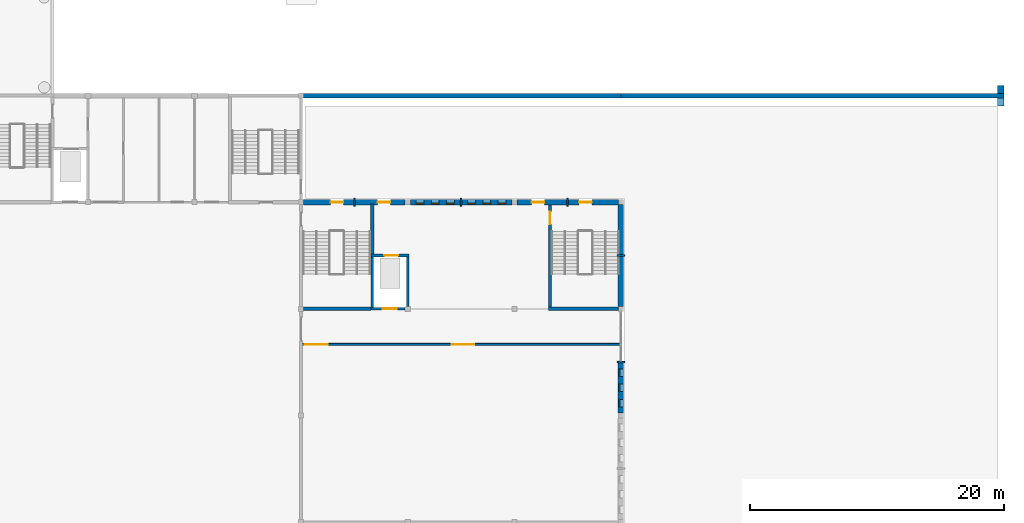
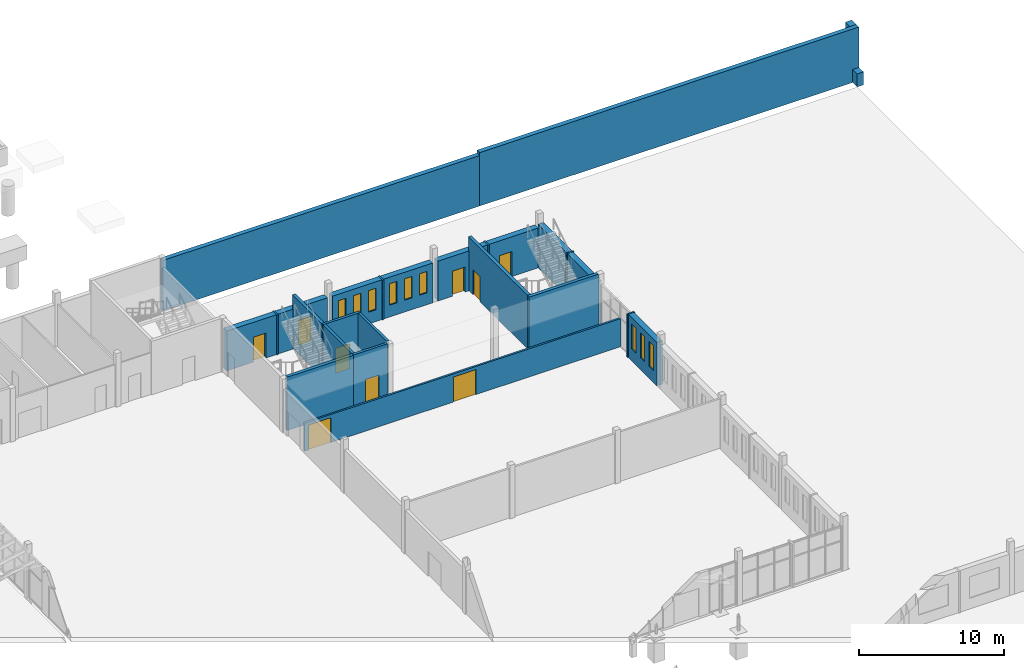
# One storey, part 48 of 60: 27 walls, 9 doors, 9 windows, 18 openings.
"""IFC4 building model written with IfcOpenShell, lengths in metres."""

from ifc_helpers import new_model, si_unit, direction, frame, frame_2d, origin, place, context, subcontext, project, spatial, rectangle, extrude, material, layer, layer_set, type_object, element, fill, save


model = new_model("IFC4")

# Units and contexts
model_context = context("Model", 3, precision=1e-05, world=origin(), true_north=direction((0.0, 1.0)))
body_context = subcontext(model_context, "Body", "Model", "MODEL_VIEW")
ifc_project = project(units=[si_unit("LENGTHUNIT", "METRE"), si_unit("AREAUNIT", "SQUARE_METRE"), si_unit("VOLUMEUNIT", "CUBIC_METRE"), si_unit("PLANEANGLEUNIT", "RADIAN"), si_unit("MASSUNIT", "GRAM", prefix="KILO")], contexts=[model_context])

# Site, building, storey
site_placement = place(None, origin())
site = spatial("IfcSite", under=ifc_project, at=site_placement, CompositionType="ELEMENT")
building_placement = place(site_placement, origin())
building = spatial("IfcBuilding", under=site, at=building_placement, Name="Fescue Hill Polytechnic", CompositionType="ELEMENT")
storey_placement = place(building_placement, frame((0.0, 0.0, 4.5)))
storey = spatial("IfcBuildingStorey", under=building, at=storey_placement, Name="L01", CompositionType="ELEMENT", Elevation=4.5)

# Walls
ifc_material_1 = material(Name="Concrete 40 MPa", Category="concrete")
ifc_layer_1 = layer(ifc_material_1, 0.25)
ifc_layer_set_1 = layer_set([ifc_layer_1], Name="Concrete 40 MPa")
wall_type_1 = type_object("IfcWallType", Name="Core wall 250", PredefinedType="SHEAR", material=ifc_layer_set_1)
wall_1_placement = place(storey_placement, frame((117.800048828125, 92.39990234375, 0.0), z_axis=(0.0, 0.0, 1.0), x_axis=(1.0, 0.0, 0.0)))
element("IfcWall", 1, at=wall_1_placement, inside=storey, type_object=wall_type_1, Name="CW-L01-ST-V2-1-11", PredefinedType="SHEAR", context=body_context, shape_type="SweptSolid", body=[
    extrude(rectangle(XDim=5.300048828125, YDim=0.25, at=frame_2d((2.64990234375, 0.0))), origin(), (0.0, 0.0, 1.0), 4.5),
])
wall_2_placement = place(storey_placement, frame((123.199951171875, 96.610107421875, 0.0), z_axis=(0.0, 0.0, 1.0), x_axis=(0.0, 1.0, 0.0)))
element("IfcWall", 2, at=wall_2_placement, inside=storey, type_object=wall_type_1, Name="CW-L01-ST-V2-1-41", PredefinedType="SHEAR", context=body_context, shape_type="SweptSolid", body=[
    extrude(rectangle(XDim=4.06494140625, YDim=0.25, at=frame_2d((2.032470703125, 0.0))), origin(), (0.0, 0.0, 1.0), 4.5),
])
wall_3_placement = place(storey_placement, frame((137.074951171875, 92.39990234375, 0.0), z_axis=(0.0, 0.0, 1.0), x_axis=(1.0, 0.0, 0.0)))
element("IfcWall", 3, at=wall_3_placement, inside=storey, type_object=wall_type_1, Name="CW-L01-ST-V2-2-11", PredefinedType="SHEAR", context=body_context, shape_type="SweptSolid", body=[
    extrude(rectangle(XDim=5.525146484375, YDim=0.25, at=frame_2d((2.7626953125, 0.0))), origin(), (0.0, 0.0, 1.0), 4.5),
])

# Wall, opening, door
wall_4_placement = place(storey_placement, frame((137.199951171875, 92.52490234375, 0.0), z_axis=(0.0, 0.0, 1.0), x_axis=(0.0, 1.0, 0.0)))
wall_4 = element("IfcWall", 4, at=wall_4_placement, inside=storey, type_object=wall_type_1, Name="CW-L01-ST-V2-2-31", PredefinedType="SHEAR", context=body_context, shape_type="SweptSolid", body=[
    extrude(rectangle(XDim=8.150146484375, YDim=0.25, at=frame_2d((4.0751953125, 0.0))), origin(), (0.0, 0.0, 1.0), 4.5),
])
opening_1_placement = place(wall_4_placement, frame((6.52490234375, 0.0, 0.0)))
opening_1 = element("IfcOpeningElement", 5, at=opening_1_placement, cuts=wall_4, Name="Opening D1090", PredefinedType="OPENING", context=body_context, shape_type="SweptSolid", body=[
    extrude(rectangle(XDim=1.0, YDim=2.10009765625, at=frame_2d((0.5, 1.050048828125))), frame((0.0, 0.135009765625, 0.0), z_axis=(0.0, -1.0, 0.0), x_axis=(1.0, 0.0, 0.0)), (0.0, 0.0, 1.0), 0.27001953125),
])
ifc_material_2 = material(Name="Steel fire door", Category="steel")
door_type_1 = type_object("IfcDoorType", Name="Door single swing 1000x2100 stair fire rated", OperationType="NOTDEFINED", PredefinedType="DOOR", material=ifc_material_2)
door_1_placement = place(opening_1_placement, origin())
door_1 = element("IfcDoor", 6, at=door_1_placement, inside=storey, type_object=door_type_1, Name="L01 ST-V2-2 stair door", OperationType="SINGLE_SWING_LEFT", OverallHeight=2.10009765625, OverallWidth=1.0, PredefinedType="DOOR", context=body_context, shape_type="SweptSolid", body=[
    extrude(rectangle(XDim=1.0, YDim=2.10009765625, at=frame_2d((0.5, 1.050048828125))), frame((0.0, 0.02490234375, 0.0), z_axis=(0.0, -1.0, 0.0), x_axis=(1.0, 0.0, 0.0)), (0.0, 0.0, 1.0), 0.050048828125),
])
fill(opening_1, door_1)

# Wall, openings, windows
ifc_layer_2 = layer(ifc_material_1, 0.449951171875)
ifc_layer_set_2 = layer_set([ifc_layer_2], Name="Concrete 40 MPa")
wall_type_2 = type_object("IfcWallType", Name="Exterior wall board-marked concrete 450", PredefinedType="SOLIDWALL", material=ifc_layer_set_2)
wall_5_placement = place(storey_placement, frame((142.800048828125, 84.199951171875, 0.0), z_axis=(0.0, 0.0, 1.0), x_axis=(0.0, 1.0, 0.0)))
wall_5 = element("IfcWall", 7, at=wall_5_placement, inside=storey, type_object=wall_type_2, Name="EW-L01-V2-7", PredefinedType="SOLIDWALL", context=body_context, shape_type="SweptSolid", body=[
    extrude(rectangle(XDim=3.93994140625, YDim=0.449951171875, at=frame_2d((1.969970703125, 0.0))), origin(), (0.0, 0.0, 1.0), 3.64990234375),
])
opening_2_placement = place(wall_5_placement, frame((0.469970703125, 0.0, 1.0)))
opening_2 = element("IfcOpeningElement", 8, at=opening_2_placement, cuts=wall_5, Name="Opening W6", PredefinedType="OPENING", context=body_context, shape_type="SweptSolid", body=[
    extrude(rectangle(XDim=0.60009765625, YDim=2.10009765625, at=frame_2d((0.300048828125, 1.050048828125))), frame((0.0, 0.23486328125, 0.0), z_axis=(0.0, -1.0, 0.0), x_axis=(1.0, 0.0, 0.0)), (0.0, 0.0, 1.0), 0.469970703125),
])
opening_3_placement = place(wall_5_placement, frame((1.669921875, 0.0, 1.0)))
opening_3 = element("IfcOpeningElement", 9, at=opening_3_placement, cuts=wall_5, Name="Opening W6", PredefinedType="OPENING", context=body_context, shape_type="SweptSolid", body=[
    extrude(rectangle(XDim=0.60009765625, YDim=2.10009765625, at=frame_2d((0.300048828125, 1.050048828125))), frame((0.0, 0.23486328125, 0.0), z_axis=(0.0, -1.0, 0.0), x_axis=(1.0, 0.0, 0.0)), (0.0, 0.0, 1.0), 0.469970703125),
])
opening_4_placement = place(wall_5_placement, frame((2.8701171875, 0.0, 1.0)))
opening_4 = element("IfcOpeningElement", 10, at=opening_4_placement, cuts=wall_5, Name="Opening W6", PredefinedType="OPENING", context=body_context, shape_type="SweptSolid", body=[
    extrude(rectangle(XDim=0.60009765625, YDim=2.10009765625, at=frame_2d((0.300048828125, 1.050048828125))), frame((0.0, 0.23486328125, 0.0), z_axis=(0.0, -1.0, 0.0), x_axis=(1.0, 0.0, 0.0)), (0.0, 0.0, 1.0), 0.469970703125),
])
ifc_material_3 = material(Name="Powder-coated aluminium and glass", Category="aluminium")
window_type_1 = type_object("IfcWindowType", Name="Window slot 600x2100", PartitioningType="SINGLE_PANEL", PredefinedType="WINDOW", material=ifc_material_3)
window_1_placement = place(opening_2_placement, origin())
window_1 = element("IfcWindow", 11, at=window_1_placement, inside=storey, type_object=window_type_1, Name="WN-L01-V2-19", OverallHeight=2.10009765625, OverallWidth=0.60009765625, PartitioningType="SINGLE_PANEL", PredefinedType="WINDOW", context=body_context, shape_type="SweptSolid", body=[
    extrude(rectangle(XDim=0.60009765625, YDim=2.10009765625, at=frame_2d((0.300048828125, 1.050048828125))), frame((0.0, 0.135009765625, 0.0), z_axis=(0.0, -1.0, 0.0), x_axis=(1.0, 0.0, 0.0)), (0.0, 0.0, 1.0), 0.06005859375),
])
fill(opening_2, window_1)
window_2_placement = place(opening_3_placement, origin())
window_2 = element("IfcWindow", 12, at=window_2_placement, inside=storey, type_object=window_type_1, Name="WN-L01-V2-20", OverallHeight=2.10009765625, OverallWidth=0.60009765625, PartitioningType="SINGLE_PANEL", PredefinedType="WINDOW", context=body_context, shape_type="SweptSolid", body=[
    extrude(rectangle(XDim=0.60009765625, YDim=2.10009765625, at=frame_2d((0.300048828125, 1.050048828125))), frame((0.0, 0.135009765625, 0.0), z_axis=(0.0, -1.0, 0.0), x_axis=(1.0, 0.0, 0.0)), (0.0, 0.0, 1.0), 0.06005859375),
])
fill(opening_3, window_2)
window_3_placement = place(opening_4_placement, origin())
window_3 = element("IfcWindow", 13, at=window_3_placement, inside=storey, type_object=window_type_1, Name="WN-L01-V2-21", OverallHeight=2.10009765625, OverallWidth=0.60009765625, PartitioningType="SINGLE_PANEL", PredefinedType="WINDOW", context=body_context, shape_type="SweptSolid", body=[
    extrude(rectangle(XDim=0.60009765625, YDim=2.10009765625, at=frame_2d((0.300048828125, 1.050048828125))), frame((0.0, 0.135009765625, 0.0), z_axis=(0.0, -1.0, 0.0), x_axis=(1.0, 0.0, 0.0)), (0.0, 0.0, 1.0), 0.06005859375),
])
fill(opening_4, window_3)

wall_6_placement = place(storey_placement, frame((134.199951171875, 100.800048828125, 0.0), z_axis=(0.0, 0.0, 1.0), x_axis=(-1.0, 0.0, 0.0)))
wall_6 = element("IfcWall", 14, at=wall_6_placement, inside=storey, type_object=wall_type_2, Name="EW-L01-V2-13", PredefinedType="SOLIDWALL", context=body_context, shape_type="SweptSolid", body=[
    extrude(rectangle(XDim=3.93994140625, YDim=0.449951171875, at=frame_2d((1.969970703125, 0.0))), origin(), (0.0, 0.0, 1.0), 3.35009765625),
])
opening_5_placement = place(wall_6_placement, frame((0.469970703125, 0.0, 1.0)))
opening_5 = element("IfcOpeningElement", 15, at=opening_5_placement, cuts=wall_6, Name="Opening W6R", PredefinedType="OPENING", context=body_context, shape_type="SweptSolid", body=[
    extrude(rectangle(XDim=0.60009765625, YDim=1.800048828125, at=frame_2d((0.300048828125, 0.89990234375))), frame((0.0, 0.23486328125, 0.0), z_axis=(0.0, -1.0, 0.0), x_axis=(1.0, 0.0, 0.0)), (0.0, 0.0, 1.0), 0.469970703125),
])
opening_6_placement = place(wall_6_placement, frame((1.669921875, 0.0, 1.0)))
opening_6 = element("IfcOpeningElement", 16, at=opening_6_placement, cuts=wall_6, Name="Opening W6R", PredefinedType="OPENING", context=body_context, shape_type="SweptSolid", body=[
    extrude(rectangle(XDim=0.60009765625, YDim=1.800048828125, at=frame_2d((0.300048828125, 0.89990234375))), frame((0.0, 0.23486328125, 0.0), z_axis=(0.0, -1.0, 0.0), x_axis=(1.0, 0.0, 0.0)), (0.0, 0.0, 1.0), 0.469970703125),
])
opening_7_placement = place(wall_6_placement, frame((2.8701171875, 0.0, 1.0)))
opening_7 = element("IfcOpeningElement", 17, at=opening_7_placement, cuts=wall_6, Name="Opening W6R", PredefinedType="OPENING", context=body_context, shape_type="SweptSolid", body=[
    extrude(rectangle(XDim=0.60009765625, YDim=1.800048828125, at=frame_2d((0.300048828125, 0.89990234375))), frame((0.0, 0.23486328125, 0.0), z_axis=(0.0, -1.0, 0.0), x_axis=(1.0, 0.0, 0.0)), (0.0, 0.0, 1.0), 0.469970703125),
])
window_type_2 = type_object("IfcWindowType", Name="Window slot 600x1800", PartitioningType="SINGLE_PANEL", PredefinedType="WINDOW", material=ifc_material_3)
window_4_placement = place(opening_5_placement, origin())
window_4 = element("IfcWindow", 18, at=window_4_placement, inside=storey, type_object=window_type_2, Name="WN-L01-V2-22", OverallHeight=1.800048828125, OverallWidth=0.60009765625, PartitioningType="SINGLE_PANEL", PredefinedType="WINDOW", context=body_context, shape_type="SweptSolid", body=[
    extrude(rectangle(XDim=0.60009765625, YDim=1.800048828125, at=frame_2d((0.300048828125, 0.89990234375))), frame((0.0, 0.135009765625, 0.0), z_axis=(0.0, -1.0, 0.0), x_axis=(1.0, 0.0, 0.0)), (0.0, 0.0, 1.0), 0.06005859375),
])
fill(opening_5, window_4)
window_5_placement = place(opening_6_placement, origin())
window_5 = element("IfcWindow", 19, at=window_5_placement, inside=storey, type_object=window_type_2, Name="WN-L01-V2-23", OverallHeight=1.800048828125, OverallWidth=0.60009765625, PartitioningType="SINGLE_PANEL", PredefinedType="WINDOW", context=body_context, shape_type="SweptSolid", body=[
    extrude(rectangle(XDim=0.60009765625, YDim=1.800048828125, at=frame_2d((0.300048828125, 0.89990234375))), frame((0.0, 0.135009765625, 0.0), z_axis=(0.0, -1.0, 0.0), x_axis=(1.0, 0.0, 0.0)), (0.0, 0.0, 1.0), 0.06005859375),
])
fill(opening_6, window_5)
window_6_placement = place(opening_7_placement, origin())
window_6 = element("IfcWindow", 20, at=window_6_placement, inside=storey, type_object=window_type_2, Name="WN-L01-V2-24", OverallHeight=1.800048828125, OverallWidth=0.60009765625, PartitioningType="SINGLE_PANEL", PredefinedType="WINDOW", context=body_context, shape_type="SweptSolid", body=[
    extrude(rectangle(XDim=0.60009765625, YDim=1.800048828125, at=frame_2d((0.300048828125, 0.89990234375))), frame((0.0, 0.135009765625, 0.0), z_axis=(0.0, -1.0, 0.0), x_axis=(1.0, 0.0, 0.0)), (0.0, 0.0, 1.0), 0.06005859375),
])
fill(opening_7, window_6)

wall_7_placement = place(storey_placement, frame((130.139892578125, 100.800048828125, 0.0), z_axis=(0.0, 0.0, 1.0), x_axis=(-1.0, 0.0, 0.0)))
wall_7 = element("IfcWall", 21, at=wall_7_placement, inside=storey, type_object=wall_type_2, Name="EW-L01-V2-14", PredefinedType="SOLIDWALL", context=body_context, shape_type="SweptSolid", body=[
    extrude(rectangle(XDim=3.93994140625, YDim=0.449951171875, at=frame_2d((1.969970703125, 0.0))), origin(), (0.0, 0.0, 1.0), 3.35009765625),
])
opening_8_placement = place(wall_7_placement, frame((0.469970703125, 0.0, 1.0)))
opening_8 = element("IfcOpeningElement", 22, at=opening_8_placement, cuts=wall_7, Name="Opening W6R", PredefinedType="OPENING", context=body_context, shape_type="SweptSolid", body=[
    extrude(rectangle(XDim=0.60009765625, YDim=1.800048828125, at=frame_2d((0.300048828125, 0.89990234375))), frame((0.0, 0.23486328125, 0.0), z_axis=(0.0, -1.0, 0.0), x_axis=(1.0, 0.0, 0.0)), (0.0, 0.0, 1.0), 0.469970703125),
])
opening_9_placement = place(wall_7_placement, frame((1.669921875, 0.0, 1.0)))
opening_9 = element("IfcOpeningElement", 23, at=opening_9_placement, cuts=wall_7, Name="Opening W6R", PredefinedType="OPENING", context=body_context, shape_type="SweptSolid", body=[
    extrude(rectangle(XDim=0.60009765625, YDim=1.800048828125, at=frame_2d((0.300048828125, 0.89990234375))), frame((0.0, 0.23486328125, 0.0), z_axis=(0.0, -1.0, 0.0), x_axis=(1.0, 0.0, 0.0)), (0.0, 0.0, 1.0), 0.469970703125),
])
opening_10_placement = place(wall_7_placement, frame((2.8701171875, 0.0, 1.0)))
opening_10 = element("IfcOpeningElement", 24, at=opening_10_placement, cuts=wall_7, Name="Opening W6R", PredefinedType="OPENING", context=body_context, shape_type="SweptSolid", body=[
    extrude(rectangle(XDim=0.60009765625, YDim=1.800048828125, at=frame_2d((0.300048828125, 0.89990234375))), frame((0.0, 0.23486328125, 0.0), z_axis=(0.0, -1.0, 0.0), x_axis=(1.0, 0.0, 0.0)), (0.0, 0.0, 1.0), 0.469970703125),
])
window_7_placement = place(opening_8_placement, origin())
window_7 = element("IfcWindow", 25, at=window_7_placement, inside=storey, type_object=window_type_2, Name="WN-L01-V2-25", OverallHeight=1.800048828125, OverallWidth=0.60009765625, PartitioningType="SINGLE_PANEL", PredefinedType="WINDOW", context=body_context, shape_type="SweptSolid", body=[
    extrude(rectangle(XDim=0.60009765625, YDim=1.800048828125, at=frame_2d((0.300048828125, 0.89990234375))), frame((0.0, 0.135009765625, 0.0), z_axis=(0.0, -1.0, 0.0), x_axis=(1.0, 0.0, 0.0)), (0.0, 0.0, 1.0), 0.06005859375),
])
fill(opening_8, window_7)
window_8_placement = place(opening_9_placement, origin())
window_8 = element("IfcWindow", 26, at=window_8_placement, inside=storey, type_object=window_type_2, Name="WN-L01-V2-26", OverallHeight=1.800048828125, OverallWidth=0.60009765625, PartitioningType="SINGLE_PANEL", PredefinedType="WINDOW", context=body_context, shape_type="SweptSolid", body=[
    extrude(rectangle(XDim=0.60009765625, YDim=1.800048828125, at=frame_2d((0.300048828125, 0.89990234375))), frame((0.0, 0.135009765625, 0.0), z_axis=(0.0, -1.0, 0.0), x_axis=(1.0, 0.0, 0.0)), (0.0, 0.0, 1.0), 0.06005859375),
])
fill(opening_9, window_8)
window_9_placement = place(opening_10_placement, origin())
window_9 = element("IfcWindow", 27, at=window_9_placement, inside=storey, type_object=window_type_2, Name="WN-L01-V2-27", OverallHeight=1.800048828125, OverallWidth=0.60009765625, PartitioningType="SINGLE_PANEL", PredefinedType="WINDOW", context=body_context, shape_type="SweptSolid", body=[
    extrude(rectangle(XDim=0.60009765625, YDim=1.800048828125, at=frame_2d((0.300048828125, 0.89990234375))), frame((0.0, 0.135009765625, 0.0), z_axis=(0.0, -1.0, 0.0), x_axis=(1.0, 0.0, 0.0)), (0.0, 0.0, 1.0), 0.06005859375),
])
fill(opening_10, window_9)

# Walls
ifc_layer_3 = layer(ifc_material_1, 0.449951171875)
ifc_layer_set_3 = layer_set([ifc_layer_3], Name="Concrete 40 MPa")
wall_type_3 = type_object("IfcWallType", Name="Exterior wall board-marked concrete 450 load-bearing", PredefinedType="SOLIDWALL", material=ifc_layer_set_3)
wall_8_placement = place(storey_placement, frame((142.800048828125, 92.60009765625, 0.0), z_axis=(0.0, 0.0, 1.0), x_axis=(0.0, 1.0, 0.0)))
element("IfcWall", 28, at=wall_8_placement, inside=storey, type_object=wall_type_3, Name="EW-L01-V2-9", PredefinedType="SOLIDWALL", context=body_context, shape_type="SweptSolid", body=[
    extrude(rectangle(XDim=3.93994140625, YDim=0.449951171875, at=frame_2d((1.969970703125, 0.0))), origin(), (0.0, 0.0, 1.0), 3.64990234375),
])
wall_9_placement = place(storey_placement, frame((142.800048828125, 96.659912109375, 0.0), z_axis=(0.0, 0.0, 1.0), x_axis=(0.0, 1.0, 0.0)))
element("IfcWall", 29, at=wall_9_placement, inside=storey, type_object=wall_type_3, Name="EW-L01-V2-10", PredefinedType="SOLIDWALL", context=body_context, shape_type="SweptSolid", body=[
    extrude(rectangle(XDim=3.940185546875, YDim=0.449951171875, at=frame_2d((1.97021484375, 0.0))), origin(), (0.0, 0.0, 1.0), 3.64990234375),
])

# Wall, opening, door
wall_10_placement = place(storey_placement, frame((142.60009765625, 100.800048828125, 0.0), z_axis=(0.0, 0.0, 1.0), x_axis=(-1.0, 0.0, 0.0)))
wall_10 = element("IfcWall", 30, at=wall_10_placement, inside=storey, type_object=wall_type_3, Name="EW-L01-V2-11", PredefinedType="SOLIDWALL", context=body_context, shape_type="SweptSolid", body=[
    extrude(rectangle(XDim=3.940185546875, YDim=0.449951171875, at=frame_2d((1.97021484375, 0.0))), origin(), (0.0, 0.0, 1.0), 3.35009765625),
])
opening_11_placement = place(wall_10_placement, frame((3.090087890625, 0.0, 0.0), z_axis=(0.0, 0.0, 1.0), x_axis=(-1.0, 0.0, 0.0)))
opening_11 = element("IfcOpeningElement", 31, at=opening_11_placement, cuts=wall_10, Name="Opening D1091", PredefinedType="OPENING", context=body_context, shape_type="SweptSolid", body=[
    extrude(rectangle(XDim=1.0, YDim=2.10009765625, at=frame_2d((0.5, 1.050048828125))), frame((0.0, 0.23486328125, 0.0), z_axis=(0.0, -1.0, 0.0), x_axis=(1.0, 0.0, 0.0)), (0.0, 0.0, 1.0), 0.469970703125),
])
ifc_material_4 = material(Name="Hollow metal")
door_type_2 = type_object("IfcDoorType", Name="Door exit single 1000x2100 fire rated", OperationType="SINGLE_SWING_LEFT", PredefinedType="DOOR", material=ifc_material_4)
door_2_placement = place(opening_11_placement, origin())
door_2 = element("IfcDoor", 32, at=door_2_placement, inside=storey, type_object=door_type_2, Name="Door D1091", OperationType="SINGLE_SWING_LEFT", OverallHeight=2.10009765625, OverallWidth=1.0, PredefinedType="DOOR", context=body_context, shape_type="SweptSolid", body=[
    extrude(rectangle(XDim=1.0, YDim=2.10009765625, at=frame_2d((0.5, 1.050048828125))), frame((0.0, 0.02490234375, 0.0), z_axis=(0.0, -1.0, 0.0), x_axis=(1.0, 0.0, 0.0)), (0.0, 0.0, 1.0), 0.050048828125),
])
fill(opening_11, door_2)

wall_11_placement = place(storey_placement, frame((138.5400390625, 100.800048828125, 0.0), z_axis=(0.0, 0.0, 1.0), x_axis=(-1.0, 0.0, 0.0)))
wall_11 = element("IfcWall", 33, at=wall_11_placement, inside=storey, type_object=wall_type_3, Name="EW-L01-V2-12", PredefinedType="SOLIDWALL", context=body_context, shape_type="SweptSolid", body=[
    extrude(rectangle(XDim=3.93994140625, YDim=0.449951171875, at=frame_2d((1.969970703125, 0.0))), origin(), (0.0, 0.0, 1.0), 3.35009765625),
])
opening_12_placement = place(wall_11_placement, frame((1.77001953125, 0.0, 0.0)))
opening_12 = element("IfcOpeningElement", 34, at=opening_12_placement, cuts=wall_11, Name="Opening D1003", PredefinedType="OPENING", context=body_context, shape_type="SweptSolid", body=[
    extrude(rectangle(XDim=1.0, YDim=2.10009765625, at=frame_2d((0.5, 1.050048828125))), frame((0.0, 0.23486328125, 0.0), z_axis=(0.0, -1.0, 0.0), x_axis=(1.0, 0.0, 0.0)), (0.0, 0.0, 1.0), 0.469970703125),
])
door_3_placement = place(opening_12_placement, origin())
door_3 = element("IfcDoor", 35, at=door_3_placement, inside=storey, type_object=door_type_2, Name="Door D1003", OperationType="SINGLE_SWING_LEFT", OverallHeight=2.10009765625, OverallWidth=1.0, PredefinedType="DOOR", context=body_context, shape_type="SweptSolid", body=[
    extrude(rectangle(XDim=1.0, YDim=2.10009765625, at=frame_2d((0.5, 1.050048828125))), frame((0.0, 0.02490234375, 0.0), z_axis=(0.0, -1.0, 0.0), x_axis=(1.0, 0.0, 0.0)), (0.0, 0.0, 1.0), 0.050048828125),
])
fill(opening_12, door_3)

wall_12_placement = place(storey_placement, frame((125.800048828125, 100.800048828125, 0.0), z_axis=(0.0, 0.0, 1.0), x_axis=(-1.0, 0.0, 0.0)))
wall_12 = element("IfcWall", 36, at=wall_12_placement, inside=storey, type_object=wall_type_3, Name="EW-L01-V2-15", PredefinedType="SOLIDWALL", context=body_context, shape_type="SweptSolid", body=[
    extrude(rectangle(XDim=3.93994140625, YDim=0.449951171875, at=frame_2d((1.969970703125, 0.0))), origin(), (0.0, 0.0, 1.0), 3.35009765625),
])
opening_13_placement = place(wall_12_placement, frame((1.169921875, 0.0, 0.0)))
opening_13 = element("IfcOpeningElement", 37, at=opening_13_placement, cuts=wall_12, Name="Opening D1004", PredefinedType="OPENING", context=body_context, shape_type="SweptSolid", body=[
    extrude(rectangle(XDim=1.0, YDim=2.10009765625, at=frame_2d((0.5, 1.050048828125))), frame((0.0, 0.23486328125, 0.0), z_axis=(0.0, -1.0, 0.0), x_axis=(1.0, 0.0, 0.0)), (0.0, 0.0, 1.0), 0.469970703125),
])
door_4_placement = place(opening_13_placement, origin())
door_4 = element("IfcDoor", 38, at=door_4_placement, inside=storey, type_object=door_type_2, Name="Door D1004", OperationType="SINGLE_SWING_LEFT", OverallHeight=2.10009765625, OverallWidth=1.0, PredefinedType="DOOR", context=body_context, shape_type="SweptSolid", body=[
    extrude(rectangle(XDim=1.0, YDim=2.10009765625, at=frame_2d((0.5, 1.050048828125))), frame((0.0, 0.02490234375, 0.0), z_axis=(0.0, -1.0, 0.0), x_axis=(1.0, 0.0, 0.0)), (0.0, 0.0, 1.0), 0.050048828125),
])
fill(opening_13, door_4)

wall_13_placement = place(storey_placement, frame((121.739990234375, 100.800048828125, 0.0), z_axis=(0.0, 0.0, 1.0), x_axis=(-1.0, 0.0, 0.0)))
wall_13 = element("IfcWall", 39, at=wall_13_placement, inside=storey, type_object=wall_type_3, Name="EW-L01-V2-16", PredefinedType="SOLIDWALL", context=body_context, shape_type="SweptSolid", body=[
    extrude(rectangle(XDim=3.93994140625, YDim=0.449951171875, at=frame_2d((1.969970703125, 0.0))), origin(), (0.0, 0.0, 1.0), 3.35009765625),
])
opening_14_placement = place(wall_13_placement, frame((1.81494140625, 0.0, 0.0), z_axis=(0.0, 0.0, 1.0), x_axis=(-1.0, 0.0, 0.0)))
opening_14 = element("IfcOpeningElement", 40, at=opening_14_placement, cuts=wall_13, Name="Opening D1089", PredefinedType="OPENING", context=body_context, shape_type="SweptSolid", body=[
    extrude(rectangle(XDim=1.0, YDim=2.10009765625, at=frame_2d((0.5, 1.050048828125))), frame((0.0, 0.23486328125, 0.0), z_axis=(0.0, -1.0, 0.0), x_axis=(1.0, 0.0, 0.0)), (0.0, 0.0, 1.0), 0.469970703125),
])
door_5_placement = place(opening_14_placement, origin())
door_5 = element("IfcDoor", 41, at=door_5_placement, inside=storey, type_object=door_type_2, Name="Door D1089", OperationType="SINGLE_SWING_LEFT", OverallHeight=2.10009765625, OverallWidth=1.0, PredefinedType="DOOR", context=body_context, shape_type="SweptSolid", body=[
    extrude(rectangle(XDim=1.0, YDim=2.10009765625, at=frame_2d((0.5, 1.050048828125))), frame((0.0, 0.02490234375, 0.0), z_axis=(0.0, -1.0, 0.0), x_axis=(1.0, 0.0, 0.0)), (0.0, 0.0, 1.0), 0.050048828125),
])
fill(opening_14, door_5)

ifc_layer_4 = layer(ifc_material_1, 0.199951171875)
ifc_layer_set_4 = layer_set([ifc_layer_4], Name="Concrete 40 MPa")
wall_type_4 = type_object("IfcWallType", Name="Lift shaft wall 200", PredefinedType="SHEAR", material=ifc_layer_set_4)
wall_14_placement = place(storey_placement, frame((123.10009765625, 92.39990234375, 0.0), z_axis=(0.0, 0.0, 1.0), x_axis=(1.0, 0.0, 0.0)))
wall_14 = element("IfcWall", 42, at=wall_14_placement, inside=storey, type_object=wall_type_4, Name="CW-L01-LF-V2-1-11", PredefinedType="SHEAR", context=body_context, shape_type="SweptSolid", body=[
    extrude(rectangle(XDim=2.699951171875, YDim=0.199951171875, at=frame_2d((1.35009765625, 0.0))), origin(), (0.0, 0.0, 1.0), 4.5),
])
opening_15_placement = place(wall_14_placement, frame((0.949951171875, 0.0, 0.0)))
opening_15 = element("IfcOpeningElement", 43, at=opening_15_placement, cuts=wall_14, Name="Opening LD3-L01", PredefinedType="OPENING", context=body_context, shape_type="SweptSolid", body=[
    extrude(rectangle(XDim=1.10009765625, YDim=2.10009765625, at=frame_2d((0.550048828125, 1.050048828125))), frame((0.0, 0.10986328125, 0.0), z_axis=(0.0, -1.0, 0.0), x_axis=(1.0, 0.0, 0.0)), (0.0, 0.0, 1.0), 0.219970703125),
])
ifc_material_5 = material(Name="Stainless steel", Category="steel")
door_type_3 = type_object("IfcDoorType", Name="Lift landing door sliding 1100x2100", OperationType="SLIDING_TO_LEFT", PredefinedType="DOOR", material=ifc_material_5)
door_6_placement = place(opening_15_placement, origin())
door_6 = element("IfcDoor", 44, at=door_6_placement, inside=storey, type_object=door_type_3, Name="L01 LF-V2-1 lift landing door", OperationType="SLIDING_TO_RIGHT", OverallHeight=2.10009765625, OverallWidth=1.10009765625, PredefinedType="DOOR", context=body_context, shape_type="SweptSolid", body=[
    extrude(rectangle(XDim=1.10009765625, YDim=2.10009765625, at=frame_2d((0.550048828125, 1.050048828125))), frame((0.0, 0.02490234375, 0.0), z_axis=(0.0, -1.0, 0.0), x_axis=(1.0, 0.0, 0.0)), (0.0, 0.0, 1.0), 0.050048828125),
])
fill(opening_15, door_6)

wall_15_placement = place(storey_placement, frame((123.10009765625, 96.60009765625, 0.0), z_axis=(0.0, 0.0, 1.0), x_axis=(1.0, 0.0, 0.0)))
wall_15 = element("IfcWall", 45, at=wall_15_placement, inside=storey, type_object=wall_type_4, Name="CW-L01-LF-V2-1-21", PredefinedType="SHEAR", context=body_context, shape_type="SweptSolid", body=[
    extrude(rectangle(XDim=3.0, YDim=0.199951171875, at=frame_2d((1.5, 0.0))), origin(), (0.0, 0.0, 1.0), 4.5),
])
opening_16_placement = place(wall_15_placement, frame((1.050048828125, 0.0, 0.0)))
opening_16 = element("IfcOpeningElement", 46, at=opening_16_placement, cuts=wall_15, Name="Opening LD3-L01N", PredefinedType="OPENING", context=body_context, shape_type="SweptSolid", body=[
    extrude(rectangle(XDim=1.10009765625, YDim=2.10009765625, at=frame_2d((0.550048828125, 1.050048828125))), frame((0.0, 0.10986328125, 0.0), z_axis=(0.0, -1.0, 0.0), x_axis=(1.0, 0.0, 0.0)), (0.0, 0.0, 1.0), 0.219970703125),
])
door_7_placement = place(opening_16_placement, origin())
door_7 = element("IfcDoor", 47, at=door_7_placement, inside=storey, type_object=door_type_3, Name="L01 LF-V2-1 lift landing door", OperationType="SLIDING_TO_LEFT", OverallHeight=2.10009765625, OverallWidth=1.10009765625, PredefinedType="DOOR", context=body_context, shape_type="SweptSolid", body=[
    extrude(rectangle(XDim=1.10009765625, YDim=2.10009765625, at=frame_2d((0.550048828125, 1.050048828125))), frame((0.0, 0.02490234375, 0.0), z_axis=(0.0, -1.0, 0.0), x_axis=(1.0, 0.0, 0.0)), (0.0, 0.0, 1.0), 0.050048828125),
])
fill(opening_16, door_7)

# Walls
wall_16_placement = place(storey_placement, frame((123.199951171875, 92.5, 0.0), z_axis=(0.0, 0.0, 1.0), x_axis=(0.0, 1.0, 0.0)))
element("IfcWall", 48, at=wall_16_placement, inside=storey, type_object=wall_type_4, Name="CW-L01-LF-V2-1-31", PredefinedType="SHEAR", context=body_context, shape_type="SweptSolid", body=[
    extrude(rectangle(XDim=4.0, YDim=0.199951171875, at=frame_2d((2.0, 0.0))), origin(), (0.0, 0.0, 1.0), 4.5),
])
wall_17_placement = place(storey_placement, frame((126.0, 92.60009765625, 0.0), z_axis=(0.0, 0.0, 1.0), x_axis=(0.0, 1.0, 0.0)))
element("IfcWall", 49, at=wall_17_placement, inside=storey, type_object=wall_type_4, Name="CW-L01-LF-V2-1-41", PredefinedType="SHEAR", context=body_context, shape_type="SweptSolid", body=[
    extrude(rectangle(XDim=3.89990234375, YDim=0.199951171875, at=frame_2d((1.949951171875, 0.0))), origin(), (0.0, 0.0, 1.0), 4.5),
])

# Wall, openings, doors
ifc_material_6 = material(Name="Gypsum board partition")
ifc_layer_5 = layer(ifc_material_6, 0.14990234375)
ifc_layer_set_5 = layer_set([ifc_layer_5], Name="Gypsum board partition")
wall_type_5 = type_object("IfcWallType", Name="Lobby wall 150 EI 60", PredefinedType="PARTITIONING", material=ifc_layer_set_5)
wall_18_placement = place(storey_placement, frame((117.60009765625, 89.60009765625, 0.0), z_axis=(0.0, 0.0, 1.0), x_axis=(1.0, 0.0, 0.0)))
wall_18 = element("IfcWall", 50, at=wall_18_placement, inside=storey, type_object=wall_type_5, Name="IW-L01-056", PredefinedType="PARTITIONING", context=body_context, shape_type="SweptSolid", body=[
    extrude(rectangle(XDim=25.199951171875, YDim=0.14990234375, at=frame_2d((12.60009765625, 0.0))), origin(), (0.0, 0.0, 1.0), 2.3701171875),
])
opening_17_placement = place(wall_18_placement, frame((11.85009765625, 0.0, 0.0)))
opening_17 = element("IfcOpeningElement", 51, at=opening_17_placement, cuts=wall_18, Name="Opening D1055", PredefinedType="OPENING", context=body_context, shape_type="SweptSolid", body=[
    extrude(rectangle(XDim=1.800048828125, YDim=2.10009765625, at=frame_2d((0.89990234375, 1.050048828125))), frame((0.0, 0.0849609375, 0.0), z_axis=(0.0, -1.0, 0.0), x_axis=(1.0, 0.0, 0.0)), (0.0, 0.0, 1.0), 0.169921875),
])
opening_18_placement = place(wall_18_placement, frame((0.300048828125, 0.0, 0.0)))
opening_18 = element("IfcOpeningElement", 52, at=opening_18_placement, cuts=wall_18, Name="Opening D1056", PredefinedType="OPENING", context=body_context, shape_type="SweptSolid", body=[
    extrude(rectangle(XDim=1.800048828125, YDim=2.10009765625, at=frame_2d((0.89990234375, 1.050048828125))), frame((0.0, 0.0849609375, 0.0), z_axis=(0.0, -1.0, 0.0), x_axis=(1.0, 0.0, 0.0)), (0.0, 0.0, 1.0), 0.169921875),
])
ifc_material_7 = material(Name="Steel", Category="steel")
door_type_4 = type_object("IfcDoorType", Name="Door double swing 1800x2100 FD60", OperationType="DOUBLE_DOOR_SINGLE_SWING", PredefinedType="DOOR", material=ifc_material_7)
door_8_placement = place(opening_17_placement, origin())
door_8 = element("IfcDoor", 53, at=door_8_placement, inside=storey, type_object=door_type_4, Name="Door D1055", OperationType="DOUBLE_DOOR_SINGLE_SWING", OverallHeight=2.10009765625, OverallWidth=1.800048828125, PredefinedType="DOOR", context=body_context, shape_type="SweptSolid", body=[
    extrude(rectangle(XDim=1.800048828125, YDim=2.10009765625, at=frame_2d((0.89990234375, 1.050048828125))), frame((0.0, 0.02490234375, 0.0), z_axis=(0.0, -1.0, 0.0), x_axis=(1.0, 0.0, 0.0)), (0.0, 0.0, 1.0), 0.050048828125),
])
fill(opening_17, door_8)
door_9_placement = place(opening_18_placement, origin())
door_9 = element("IfcDoor", 54, at=door_9_placement, inside=storey, type_object=door_type_4, Name="Door D1056", OperationType="DOUBLE_DOOR_SINGLE_SWING", OverallHeight=2.10009765625, OverallWidth=1.800048828125, PredefinedType="DOOR", context=body_context, shape_type="SweptSolid", body=[
    extrude(rectangle(XDim=1.800048828125, YDim=2.10009765625, at=frame_2d((0.89990234375, 1.050048828125))), frame((0.0, 0.02490234375, 0.0), z_axis=(0.0, -1.0, 0.0), x_axis=(1.0, 0.0, 0.0)), (0.0, 0.0, 1.0), 0.050048828125),
])
fill(opening_18, door_9)

# Walls
ifc_material_8 = material(Name="Concrete 35 MPa", Category="concrete")
ifc_layer_6 = layer(ifc_material_8, 0.35009765625)
ifc_layer_set_6 = layer_set([ifc_layer_6], Name="Concrete 35 MPa")
wall_type_6 = type_object("IfcWallType", Name="Retaining wall 350", PredefinedType="SOLIDWALL", material=ifc_layer_set_6)
wall_19_placement = place(storey_placement, frame((117.60009765625, 109.199951171875, 0.0), z_axis=(0.0, 0.0, 1.0), x_axis=(1.0, 0.0, 0.0)))
element("IfcWall", 55, at=wall_19_placement, inside=storey, type_object=wall_type_6, Name="RT-RW4", PredefinedType="SOLIDWALL", context=body_context, shape_type="SweptSolid", body=[
    extrude(rectangle(XDim=25.199951171875, YDim=0.35009765625, at=frame_2d((12.60009765625, 0.0))), origin(), (0.0, 0.0, 1.0), 4.25),
])
wall_20_placement = place(storey_placement, frame((142.800048828125, 109.199951171875, 0.0), z_axis=(0.0, 0.0, 1.0), x_axis=(1.0, 0.0, 0.0)))
element("IfcWall", 56, at=wall_20_placement, inside=storey, type_object=wall_type_6, Name="RT-RW7", PredefinedType="SOLIDWALL", context=body_context, shape_type="SweptSolid", body=[
    extrude(rectangle(XDim=30.18994140625, YDim=0.35009765625, at=frame_2d((15.094970703125, 0.0))), origin(), (0.0, 0.0, 1.0), 4.5),
])
ifc_layer_7 = layer(ifc_material_8, 0.5)
ifc_layer_set_7 = layer_set([ifc_layer_7], Name="Concrete 35 MPa")
wall_type_7 = type_object("IfcWallType", Name="Retaining wall 500", PredefinedType="SOLIDWALL", material=ifc_layer_set_7)
wall_21_placement = place(storey_placement, frame((172.742919921875, 108.39990234375, 0.0), z_axis=(0.0, 0.0, 1.0), x_axis=(0.0, 1.0, 0.0)))
element("IfcWall", 57, at=wall_21_placement, inside=storey, type_object=wall_type_7, Name="RT-PW26", PredefinedType="SOLIDWALL", context=body_context, shape_type="SweptSolid", body=[
    extrude(rectangle(XDim=0.625, YDim=0.5, at=frame_2d((0.3125, 0.0))), origin(), (0.0, 0.0, 1.0), 1.10009765625),
])
wall_22_placement = place(storey_placement, frame((172.742919921875, 109.375, 0.0), z_axis=(0.0, 0.0, 1.0), x_axis=(0.0, 1.0, 0.0)))
element("IfcWall", 58, at=wall_22_placement, inside=storey, type_object=wall_type_7, Name="RT-PW28", PredefinedType="SOLIDWALL", context=body_context, shape_type="SweptSolid", body=[
    extrude(rectangle(XDim=0.625, YDim=0.5, at=frame_2d((0.3125, 0.0))), origin(), (0.0, 0.0, 1.0), 4.5),
])
ifc_material_9 = material(Name="Glulam 24f-EX", Category="wood")
ifc_layer_8 = layer(ifc_material_9, 0.60009765625)
ifc_layer_set_8 = layer_set([ifc_layer_8], Name="Glulam 24f-EX")
wall_type_8 = type_object("IfcWallType", Name="Timber fin 120x600", PredefinedType="SOLIDWALL", material=ifc_layer_set_8)
wall_23_placement = place(storey_placement, frame((142.800048828125, 88.139892578125, 0.0), z_axis=(0.0, 0.0, 1.0), x_axis=(0.0, 1.0, 0.0)))
element("IfcWall", 59, at=wall_23_placement, inside=storey, type_object=wall_type_8, Name="PR-L01-V2-4", PredefinedType="SOLIDWALL", context=body_context, shape_type="SweptSolid", body=[
    extrude(rectangle(XDim=0.1201171875, YDim=0.60009765625, at=frame_2d((0.06005859375, 0.0))), origin(), (0.0, 0.0, 1.0), 3.64990234375),
])
wall_24_placement = place(storey_placement, frame((142.800048828125, 96.5400390625, 0.0), z_axis=(0.0, 0.0, 1.0), x_axis=(0.0, 1.0, 0.0)))
element("IfcWall", 60, at=wall_24_placement, inside=storey, type_object=wall_type_8, Name="PR-L01-V2-5", PredefinedType="SOLIDWALL", context=body_context, shape_type="SweptSolid", body=[
    extrude(rectangle(XDim=0.119873046875, YDim=0.60009765625, at=frame_2d((0.06005859375, 0.0))), origin(), (0.0, 0.0, 1.0), 3.64990234375),
])
wall_25_placement = place(storey_placement, frame((138.659912109375, 100.800048828125, 0.0), z_axis=(0.0, 0.0, 1.0), x_axis=(-1.0, 0.0, 0.0)))
element("IfcWall", 61, at=wall_25_placement, inside=storey, type_object=wall_type_8, Name="PR-L01-V2-6", PredefinedType="SOLIDWALL", context=body_context, shape_type="SweptSolid", body=[
    extrude(rectangle(XDim=0.119873046875, YDim=0.60009765625, at=frame_2d((0.06005859375, 0.0))), origin(), (0.0, 0.0, 1.0), 3.35009765625),
])
for number, where, z_axis, x_axis, name in (
    (62, (130.260009765625, 100.800048828125, 0.0), (0.0, 0.0, 1.0), (-1.0, 0.0, 0.0), "PR-L01-V2-7"),
    (63, (121.860107421875, 100.800048828125, 0.0), (0.0, 0.0, 1.0), (-1.0, 0.0, 0.0), "PR-L01-V2-8"),
):
    element("IfcWall", number, at=place(storey_placement, frame(where, z_axis=z_axis, x_axis=x_axis)), inside=storey, type_object=wall_type_8, Name=name, PredefinedType="SOLIDWALL", context=body_context, shape_type="SweptSolid", body=[
        extrude(rectangle(XDim=0.1201171875, YDim=0.60009765625, at=frame_2d((0.06005859375, 0.0))), origin(), (0.0, 0.0, 1.0), 3.35009765625),
    ])

save(model, "model.ifc")
